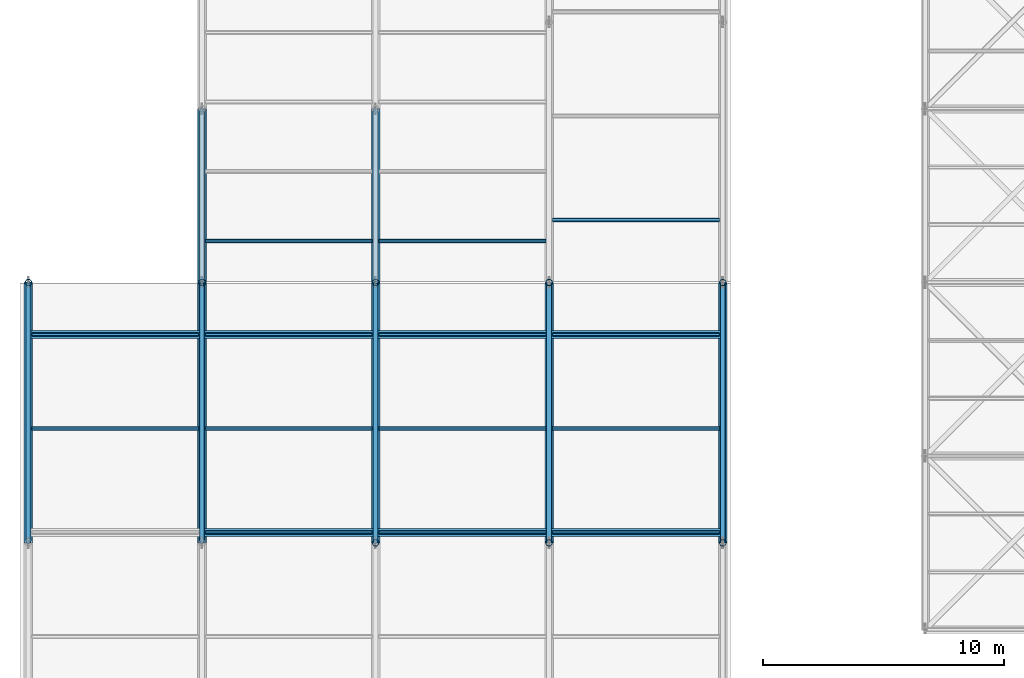
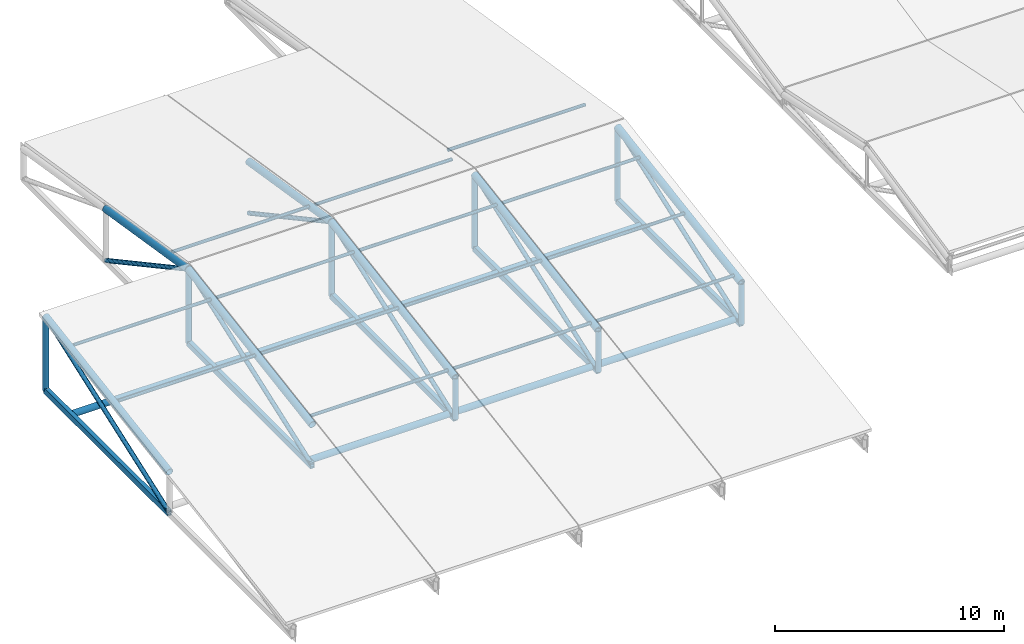
# One storey, part 15 of 72: 36 members, 12 beams.
"""IFC4 building model written with IfcOpenShell, lengths in metres."""

from ifc_helpers import new_model, si_unit, direction, frame, origin, origin_2d, place, context, subcontext, project, spatial, hollow_rectangle, hollow_circle, extrude, material, material_profile, profile_set, type_object, element, save


model = new_model("IFC4")

# Units and contexts
model_context = context("Model", 3, precision=1e-05, world=origin(), true_north=direction((0.0, 1.0)))
body_context = subcontext(model_context, "Body", "Model", "MODEL_VIEW")
ifc_project = project(units=[si_unit("LENGTHUNIT", "METRE"), si_unit("AREAUNIT", "SQUARE_METRE"), si_unit("VOLUMEUNIT", "CUBIC_METRE"), si_unit("PLANEANGLEUNIT", "RADIAN"), si_unit("MASSUNIT", "GRAM", prefix="KILO")], contexts=[model_context])

# Site, building, storey
site_placement = place(None, origin())
site = spatial("IfcSite", under=ifc_project, at=site_placement, CompositionType="ELEMENT")
building_placement = place(site_placement, origin())
building = spatial("IfcBuilding", under=site, at=building_placement, Name="Vaelcorin Mobility Hub", CompositionType="ELEMENT")
storey_placement = place(building_placement, frame((0.0, 0.0, 25.800048828125)))
storey = spatial("IfcBuildingStorey", under=building, at=storey_placement, Name="RF", CompositionType="ELEMENT", Elevation=25.800048828125)

# Members
ifc_material = material(Name="Steel ASTM A500 Grade C", Category="steel")
ifc_material_profile_1 = material_profile(ifc_material, hollow_circle(Radius=0.161865234375, WallThickness=0.0126953125, at=origin_2d()), Name="HSS12.750X0.500")
ifc_profile_set_1 = profile_set([ifc_material_profile_1], Name="Steel ASTM A500 Grade C")
member_type_1 = type_object("IfcMemberType", Name="SF-CHORD-12", PredefinedType="CHORD", material=ifc_profile_set_1)
member_1_placement = place(storey_placement, frame((6.097900390625, 96.239990234375, -4.199951171875), z_axis=(1.0, 0.0, 0.0), x_axis=(0.0, 1.0, 0.0)))
element("IfcMember", 1, at=member_1_placement, inside=storey, type_object=member_type_1, Name="V2W Drum Truss Tie Strut 1-5", PredefinedType="CHORD", context=body_context, shape_type="SweptSolid", body=[
    extrude(hollow_circle(Radius=0.161865234375, WallThickness=0.0126953125, at=origin_2d()), origin(), (0.0, 0.0, 1.0), 7.004150390625),
])
for number, where, z_axis, x_axis, name in (
    (2, (13.298095703125, 88.031982421875, -4.199951171875), (1.0, 0.0, 0.0), (0.0, 1.0, 0.0), "V2W Drum Truss Tie Strut 2-3"),
    (3, (13.298095703125, 96.239990234375, -4.199951171875), (1.0, 0.0, 0.0), (0.0, 1.0, 0.0), "V2W Drum Truss Tie Strut 2-5"),
    (4, (20.498046875, 88.031982421875, -4.199951171875), (1.0, 0.0, 0.0), (0.0, 1.0, 0.0), "V2W Drum Truss Tie Strut 3-3"),
    (5, (20.498046875, 96.239990234375, -4.199951171875), (1.0, 0.0, 0.0), (0.0, 1.0, 0.0), "V2W Drum Truss Tie Strut 3-5"),
    (6, (27.697998046875, 88.031982421875, -4.199951171875), (1.0, 0.0, 0.0), (0.0, 1.0, 0.0), "V2W Drum Truss Tie Strut 4-3"),
    (7, (27.697998046875, 96.239990234375, -4.199951171875), (1.0, 0.0, 0.0), (0.0, 1.0, 0.0), "V2W Drum Truss Tie Strut 4-5"),
):
    element("IfcMember", number, at=place(storey_placement, frame(where, z_axis=z_axis, x_axis=x_axis)), inside=storey, type_object=member_type_1, Name=name, PredefinedType="CHORD", context=body_context, shape_type="SweptSolid", body=[
        extrude(hollow_circle(Radius=0.161865234375, WallThickness=0.0126953125, at=origin_2d()), origin(), (0.0, 0.0, 1.0), 7.00390625),
    ])
ifc_material_profile_2 = material_profile(ifc_material, hollow_circle(Radius=0.136474609375, WallThickness=0.0126953125, at=origin_2d()), Name="HSS10.750X0.500")
ifc_profile_set_2 = profile_set([ifc_material_profile_2], Name="Steel ASTM A500 Grade C")
member_type_2 = type_object("IfcMemberType", Name="SF-POST-10", PredefinedType="POST", material=ifc_profile_set_2)
for number, where, z_axis, x_axis, name in (
    (8, (6.0, 98.39990234375, -4.199951171875), (0.0, 0.0, 1.0), (1.0, 0.0, 0.0), "V2W Drum Roof Truss Post 1-2"),
    (9, (13.199951171875, 98.39990234375, -4.199951171875), (0.0, 0.0, 1.0), (1.0, 0.0, 0.0), "V2W Drum Roof Truss Post 2-2"),
):
    element("IfcMember", number, at=place(storey_placement, frame(where, z_axis=z_axis, x_axis=x_axis)), inside=storey, type_object=member_type_2, Name=name, PredefinedType="POST", context=body_context, shape_type="SweptSolid", body=[
        extrude(hollow_circle(Radius=0.136474609375, WallThickness=0.0126953125, at=origin_2d()), origin(), (0.0, 0.0, 1.0), 3.89990234375),
    ])
member_2_placement = place(storey_placement, frame((20.39990234375, 87.60009765625, -4.199951171875), z_axis=(0.0, 0.0, 1.0), x_axis=(1.0, 0.0, 0.0)))
element("IfcMember", 10, at=member_2_placement, inside=storey, type_object=member_type_2, Name="V2W Drum Roof Truss Post 3-1", PredefinedType="POST", context=body_context, shape_type="SweptSolid", body=[
    extrude(hollow_circle(Radius=0.136474609375, WallThickness=0.0126953125, at=origin_2d()), origin(), (0.0, 0.0, 1.0), 2.171875),
])
member_3_placement = place(storey_placement, frame((20.39990234375, 98.39990234375, -4.199951171875), z_axis=(0.0, 0.0, 1.0), x_axis=(1.0, 0.0, 0.0)))
element("IfcMember", 11, at=member_3_placement, inside=storey, type_object=member_type_2, Name="V2W Drum Roof Truss Post 3-2", PredefinedType="POST", context=body_context, shape_type="SweptSolid", body=[
    extrude(hollow_circle(Radius=0.136474609375, WallThickness=0.0126953125, at=origin_2d()), origin(), (0.0, 0.0, 1.0), 3.89990234375),
])
member_4_placement = place(storey_placement, frame((27.60009765625, 87.60009765625, -4.199951171875), z_axis=(0.0, 0.0, 1.0), x_axis=(1.0, 0.0, 0.0)))
element("IfcMember", 12, at=member_4_placement, inside=storey, type_object=member_type_2, Name="V2W Drum Roof Truss Post 4-1", PredefinedType="POST", context=body_context, shape_type="SweptSolid", body=[
    extrude(hollow_circle(Radius=0.136474609375, WallThickness=0.0126953125, at=origin_2d()), origin(), (0.0, 0.0, 1.0), 2.171875),
])
member_5_placement = place(storey_placement, frame((27.60009765625, 98.39990234375, -4.199951171875), z_axis=(0.0, 0.0, 1.0), x_axis=(1.0, 0.0, 0.0)))
element("IfcMember", 13, at=member_5_placement, inside=storey, type_object=member_type_2, Name="V2W Drum Roof Truss Post 4-2", PredefinedType="POST", context=body_context, shape_type="SweptSolid", body=[
    extrude(hollow_circle(Radius=0.136474609375, WallThickness=0.0126953125, at=origin_2d()), origin(), (0.0, 0.0, 1.0), 3.89990234375),
])
member_6_placement = place(storey_placement, frame((34.800048828125, 87.60009765625, -4.199951171875), z_axis=(0.0, 0.0, 1.0), x_axis=(1.0, 0.0, 0.0)))
element("IfcMember", 14, at=member_6_placement, inside=storey, type_object=member_type_2, Name="V2W Drum Roof Truss Post 5-1", PredefinedType="POST", context=body_context, shape_type="SweptSolid", body=[
    extrude(hollow_circle(Radius=0.136474609375, WallThickness=0.0126953125, at=origin_2d()), origin(), (0.0, 0.0, 1.0), 2.171875),
])
member_7_placement = place(storey_placement, frame((34.800048828125, 98.39990234375, -4.199951171875), z_axis=(0.0, 0.0, 1.0), x_axis=(1.0, 0.0, 0.0)))
element("IfcMember", 15, at=member_7_placement, inside=storey, type_object=member_type_2, Name="V2W Drum Roof Truss Post 5-2", PredefinedType="POST", context=body_context, shape_type="SweptSolid", body=[
    extrude(hollow_circle(Radius=0.136474609375, WallThickness=0.0126953125, at=origin_2d()), origin(), (0.0, 0.0, 1.0), 3.89990234375),
])
ifc_material_profile_3 = material_profile(ifc_material, hollow_circle(Radius=0.084228515625, WallThickness=0.0078125, at=origin_2d()), Name="HSS6.625X0.312")
ifc_profile_set_3 = profile_set([ifc_material_profile_3], Name="Steel ASTM A500 Grade C")
member_type_3 = type_object("IfcMemberType", Name="SF-PURL-6", PredefinedType="PURLIN", material=ifc_profile_set_3)
for number, where, z_axis, x_axis, name in (
    (16, (6.139892578125, 92.35205078125, -1.173095703125), (1.0, 0.0, 0.0), (0.0, 1.0, 0.0), "V2W Drum Roof Purlin 1-1-4"),
    (17, (6.139892578125, 96.239990234375, -0.551025390625), (1.0, 0.0, 0.0), (0.0, 1.0, 0.0), "V2W Drum Roof Purlin 1-1-5"),
):
    element("IfcMember", number, at=place(storey_placement, frame(where, z_axis=z_axis, x_axis=x_axis)), inside=storey, type_object=member_type_3, Name=name, PredefinedType="PURLIN", context=body_context, shape_type="SweptSolid", body=[
        extrude(hollow_circle(Radius=0.084228515625, WallThickness=0.0078125, at=origin_2d()), origin(), (0.0, 0.0, 1.0), 6.920166015625),
    ])
for number, where, z_axis, x_axis, name in (
    (18, (13.340087890625, 88.031982421875, -1.864013671875), (1.0, 0.0, 0.0), (0.0, 1.0, 0.0), "V2W Drum Roof Purlin 2-1-3"),
    (19, (13.340087890625, 92.35205078125, -1.173095703125), (1.0, 0.0, 0.0), (0.0, 1.0, 0.0), "V2W Drum Roof Purlin 2-1-4"),
    (20, (13.340087890625, 96.239990234375, -0.551025390625), (1.0, 0.0, 0.0), (0.0, 1.0, 0.0), "V2W Drum Roof Purlin 2-1-5"),
    (21, (13.340087890625, 100.1279296875, -0.48095703125), (1.0, 0.0, 0.0), (0.0, 1.0, 0.0), "V2W Drum Roof Purlin 2-2-1"),
    (22, (20.5400390625, 88.031982421875, -1.864013671875), (1.0, 0.0, 0.0), (0.0, 1.0, 0.0), "V2W Drum Roof Purlin 3-1-3"),
    (23, (20.5400390625, 92.35205078125, -1.173095703125), (1.0, 0.0, 0.0), (0.0, 1.0, 0.0), "V2W Drum Roof Purlin 3-1-4"),
    (24, (20.5400390625, 96.239990234375, -0.551025390625), (1.0, 0.0, 0.0), (0.0, 1.0, 0.0), "V2W Drum Roof Purlin 3-1-5"),
    (25, (20.5400390625, 100.1279296875, -0.48095703125), (1.0, 0.0, 0.0), (0.0, 1.0, 0.0), "V2W Drum Roof Purlin 3-2-1"),
    (26, (27.739990234375, 88.031982421875, -1.864013671875), (1.0, 0.0, 0.0), (0.0, 1.0, 0.0), "V2W Drum Roof Purlin 4-1-3"),
    (27, (27.739990234375, 92.35205078125, -1.173095703125), (1.0, 0.0, 0.0), (0.0, 1.0, 0.0), "V2W Drum Roof Purlin 4-1-4"),
    (28, (27.739990234375, 96.239990234375, -0.551025390625), (1.0, 0.0, 0.0), (0.0, 1.0, 0.0), "V2W Drum Roof Purlin 4-1-5"),
    (29, (27.739990234375, 100.991943359375, -0.6201171875), (1.0, 0.0, 0.0), (0.0, 1.0, 0.0), "V2W Drum Roof Purlin 4-2-1"),
):
    element("IfcMember", number, at=place(storey_placement, frame(where, z_axis=z_axis, x_axis=x_axis)), inside=storey, type_object=member_type_3, Name=name, PredefinedType="PURLIN", context=body_context, shape_type="SweptSolid", body=[
        extrude(hollow_circle(Radius=0.084228515625, WallThickness=0.0078125, at=origin_2d()), origin(), (0.0, 0.0, 1.0), 6.919921875),
    ])

# Beams
ifc_material_profile_4 = material_profile(ifc_material, hollow_circle(Radius=0.177734375, WallThickness=0.0126953125, at=origin_2d()), Name="HSS14.000X0.500")
ifc_profile_set_4 = profile_set([ifc_material_profile_4], Name="Steel ASTM A500 Grade C")
beam_type_1 = type_object("IfcBeamType", Name="TR-CHORD-14", PredefinedType="BEAM", material=ifc_profile_set_4)
for number, where, z_axis, x_axis, name in (
    (30, (6.0, 87.60009765625, -2.028076171875), (0.0, 0.987439796131, 0.157995724682), (-1.0, 0.0, 0.0), "V2W Drum Roof Truss Upper Chord 1-2"),
    (31, (13.199951171875, 87.60009765625, -2.028076171875), (0.0, 0.987439796131, 0.157995724682), (-1.0, 0.0, 0.0), "V2W Drum Roof Truss Upper Chord 2-2"),
):
    element("IfcBeam", number, at=place(storey_placement, frame(where, z_axis=z_axis, x_axis=x_axis)), inside=storey, type_object=beam_type_1, Name=name, PredefinedType="BEAM", context=body_context, shape_type="SweptSolid", body=[
        extrude(hollow_circle(Radius=0.177734375, WallThickness=0.0126953125, at=origin_2d()), origin(), (0.0, 0.0, 1.0), 10.937255859375),
    ])
beam_1_placement = place(storey_placement, frame((13.199951171875, 98.39990234375, -0.300048828125), z_axis=(0.0, 0.98743916934, -0.157999641941), x_axis=(-1.0, 0.0, 0.0)))
element("IfcBeam", 32, at=beam_1_placement, inside=storey, type_object=beam_type_1, Name="V2W Drum Roof Truss Upper Chord 2-3", PredefinedType="BEAM", context=body_context, shape_type="SweptSolid", body=[
    extrude(hollow_circle(Radius=0.177734375, WallThickness=0.0126953125, at=origin_2d()), origin(), (0.0, 0.0, 1.0), 7.291748046875),
])
beam_2_placement = place(storey_placement, frame((20.39990234375, 87.60009765625, -2.028076171875), z_axis=(0.0, 0.987439796131, 0.157995724682), x_axis=(-1.0, 0.0, 0.0)))
element("IfcBeam", 33, at=beam_2_placement, inside=storey, type_object=beam_type_1, Name="V2W Drum Roof Truss Upper Chord 3-2", PredefinedType="BEAM", context=body_context, shape_type="SweptSolid", body=[
    extrude(hollow_circle(Radius=0.177734375, WallThickness=0.0126953125, at=origin_2d()), origin(), (0.0, 0.0, 1.0), 10.937255859375),
])
beam_3_placement = place(storey_placement, frame((20.39990234375, 98.39990234375, -0.300048828125), z_axis=(0.0, 0.98743916934, -0.157999641941), x_axis=(-1.0, 0.0, 0.0)))
element("IfcBeam", 34, at=beam_3_placement, inside=storey, type_object=beam_type_1, Name="V2W Drum Roof Truss Upper Chord 3-3", PredefinedType="BEAM", context=body_context, shape_type="SweptSolid", body=[
    extrude(hollow_circle(Radius=0.177734375, WallThickness=0.0126953125, at=origin_2d()), origin(), (0.0, 0.0, 1.0), 7.291748046875),
])
for number, where, z_axis, x_axis, name in (
    (35, (27.60009765625, 87.60009765625, -2.028076171875), (0.0, 0.987439796131, 0.157995724682), (-1.0, 0.0, 0.0), "V2W Drum Roof Truss Upper Chord 4-2"),
    (36, (34.800048828125, 87.60009765625, -2.028076171875), (0.0, 0.987439796131, 0.157995724682), (-1.0, 0.0, 0.0), "V2W Drum Roof Truss Upper Chord 5-2"),
):
    element("IfcBeam", number, at=place(storey_placement, frame(where, z_axis=z_axis, x_axis=x_axis)), inside=storey, type_object=beam_type_1, Name=name, PredefinedType="BEAM", context=body_context, shape_type="SweptSolid", body=[
        extrude(hollow_circle(Radius=0.177734375, WallThickness=0.0126953125, at=origin_2d()), origin(), (0.0, 0.0, 1.0), 10.937255859375),
    ])
ifc_material_profile_5 = material_profile(ifc_material, hollow_rectangle(XDim=0.203125, YDim=0.3046875, WallThickness=0.01171875, at=origin_2d()), Name="HSS12X8X0.500")
ifc_profile_set_5 = profile_set([ifc_material_profile_5], Name="Steel ASTM A500 Grade C")
beam_type_2 = type_object("IfcBeamType", Name="TR-CHORD-RHS12", PredefinedType="BEAM", material=ifc_profile_set_5)
for number, where, z_axis, x_axis, name in (
    (37, (6.0, 87.60009765625, -4.199951171875), (0.0, 1.0, 0.0), (-1.0, 0.0, 0.0), "V2W Drum Roof Truss Lower Chord 1-2"),
    (38, (13.199951171875, 87.60009765625, -4.199951171875), (0.0, 1.0, 0.0), (-1.0, 0.0, 0.0), "V2W Drum Roof Truss Lower Chord 2-2"),
    (39, (20.39990234375, 87.60009765625, -4.199951171875), (0.0, 1.0, 0.0), (-1.0, 0.0, 0.0), "V2W Drum Roof Truss Lower Chord 3-2"),
    (40, (27.60009765625, 87.60009765625, -4.199951171875), (0.0, 1.0, 0.0), (-1.0, 0.0, 0.0), "V2W Drum Roof Truss Lower Chord 4-2"),
    (41, (34.800048828125, 87.60009765625, -4.199951171875), (0.0, 1.0, 0.0), (-1.0, 0.0, 0.0), "V2W Drum Roof Truss Lower Chord 5-2"),
):
    element("IfcBeam", number, at=place(storey_placement, frame(where, z_axis=z_axis, x_axis=x_axis)), inside=storey, type_object=beam_type_2, Name=name, PredefinedType="BEAM", context=body_context, shape_type="SweptSolid", body=[
        extrude(hollow_rectangle(XDim=0.203125, YDim=0.3046875, WallThickness=0.01171875, at=origin_2d()), origin(), (0.0, 0.0, 1.0), 10.7998046875),
    ])

# Members
ifc_material_profile_6 = material_profile(ifc_material, hollow_circle(Radius=0.109619140625, WallThickness=0.009521484375, at=origin_2d()), Name="HSS8.625X0.375")
ifc_profile_set_6 = profile_set([ifc_material_profile_6], Name="Steel ASTM A500 Grade C")
member_type_4 = type_object("IfcMemberType", Name="TR-WEB-8", PredefinedType="BRACE", material=ifc_profile_set_6)
for number, where, z_axis, x_axis, name in (
    (42, (6.0, 87.60009765625, -4.199951171875), (0.0, 0.940554654389, 0.33964237384), (-1.0, 0.0, 0.0), "V2W Drum Roof Truss Web Diagonal 1-2"),
    (43, (13.199951171875, 87.60009765625, -4.199951171875), (0.0, 0.940554654389, 0.33964237384), (-1.0, 0.0, 0.0), "V2W Drum Roof Truss Web Diagonal 2-2"),
):
    element("IfcMember", number, at=place(storey_placement, frame(where, z_axis=z_axis, x_axis=x_axis)), inside=storey, type_object=member_type_4, Name=name, PredefinedType="BRACE", context=body_context, shape_type="SweptSolid", body=[
        extrude(hollow_circle(Radius=0.109619140625, WallThickness=0.009521484375, at=origin_2d()), origin(), (0.0, 0.0, 1.0), 11.482421875),
    ])
member_8_placement = place(storey_placement, frame((13.199951171875, 98.39990234375, -0.300048828125), z_axis=(0.0, 0.879302371543, -0.476263938798), x_axis=(-1.0, 0.0, 0.0)))
element("IfcMember", 44, at=member_8_placement, inside=storey, type_object=member_type_4, Name="V2W Drum Roof Truss Web Diagonal 2-3", PredefinedType="BRACE", context=body_context, shape_type="SweptSolid", body=[
    extrude(hollow_circle(Radius=0.109619140625, WallThickness=0.009521484375, at=origin_2d()), origin(), (0.0, 0.0, 1.0), 8.1884765625),
])
member_9_placement = place(storey_placement, frame((20.39990234375, 87.60009765625, -4.199951171875), z_axis=(0.0, 0.940554654389, 0.33964237384), x_axis=(-1.0, 0.0, 0.0)))
element("IfcMember", 45, at=member_9_placement, inside=storey, type_object=member_type_4, Name="V2W Drum Roof Truss Web Diagonal 3-2", PredefinedType="BRACE", context=body_context, shape_type="SweptSolid", body=[
    extrude(hollow_circle(Radius=0.109619140625, WallThickness=0.009521484375, at=origin_2d()), origin(), (0.0, 0.0, 1.0), 11.482421875),
])
member_10_placement = place(storey_placement, frame((20.39990234375, 98.39990234375, -0.300048828125), z_axis=(0.0, 0.879302371543, -0.476263938798), x_axis=(-1.0, 0.0, 0.0)))
element("IfcMember", 46, at=member_10_placement, inside=storey, type_object=member_type_4, Name="V2W Drum Roof Truss Web Diagonal 3-3", PredefinedType="BRACE", context=body_context, shape_type="SweptSolid", body=[
    extrude(hollow_circle(Radius=0.109619140625, WallThickness=0.009521484375, at=origin_2d()), origin(), (0.0, 0.0, 1.0), 8.1884765625),
])
for number, where, z_axis, x_axis, name in (
    (47, (27.60009765625, 87.60009765625, -4.199951171875), (0.0, 0.940554654389, 0.33964237384), (-1.0, 0.0, 0.0), "V2W Drum Roof Truss Web Diagonal 4-2"),
    (48, (34.800048828125, 87.60009765625, -4.199951171875), (0.0, 0.940554654389, 0.33964237384), (-1.0, 0.0, 0.0), "V2W Drum Roof Truss Web Diagonal 5-2"),
):
    element("IfcMember", number, at=place(storey_placement, frame(where, z_axis=z_axis, x_axis=x_axis)), inside=storey, type_object=member_type_4, Name=name, PredefinedType="BRACE", context=body_context, shape_type="SweptSolid", body=[
        extrude(hollow_circle(Radius=0.109619140625, WallThickness=0.009521484375, at=origin_2d()), origin(), (0.0, 0.0, 1.0), 11.482421875),
    ])

save(model, "model.ifc")
